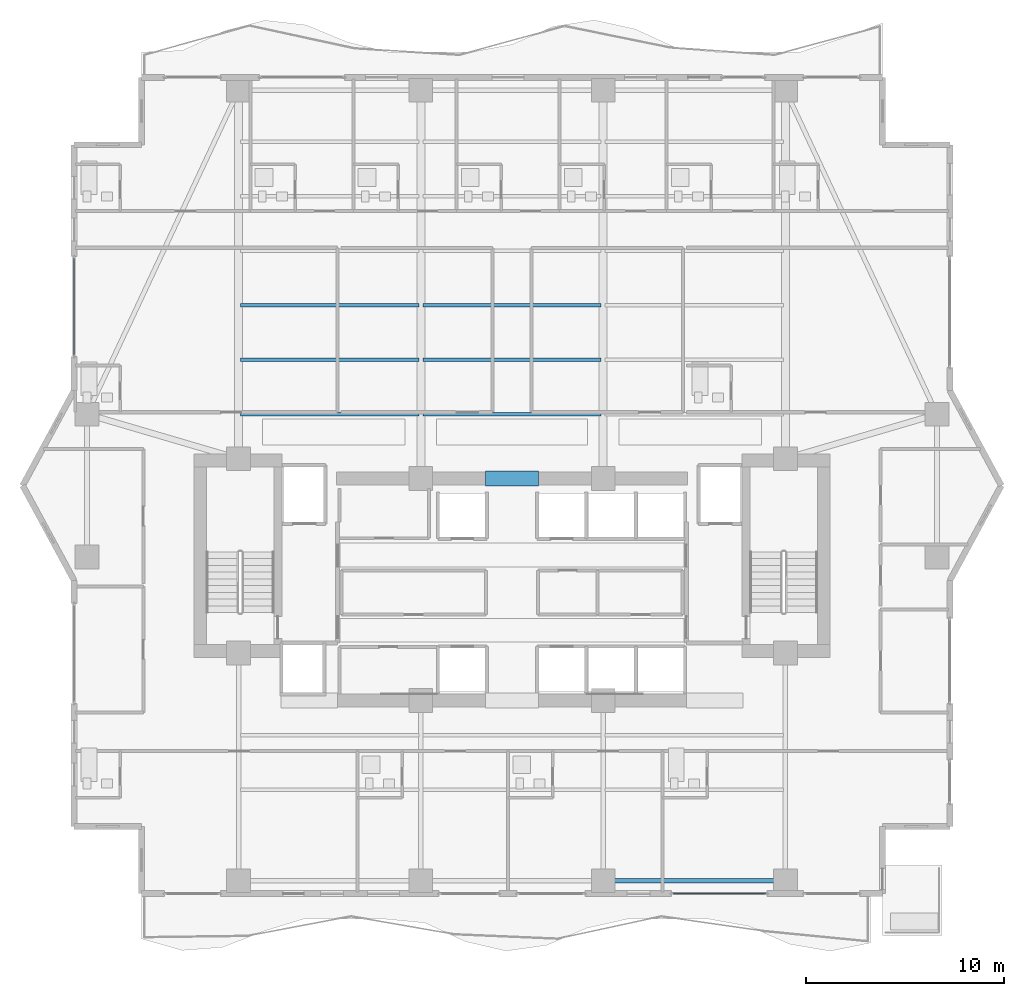
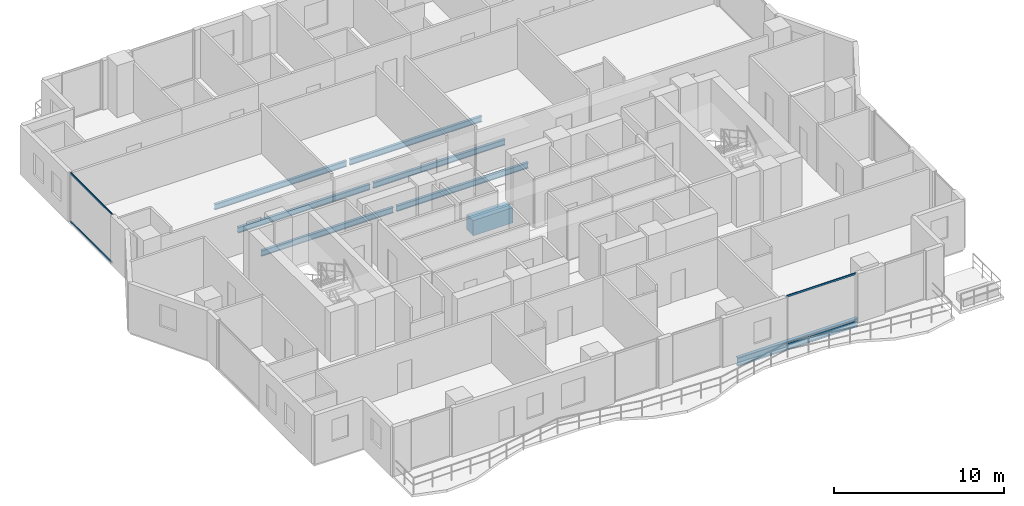
# One storey, part 10 of 33: 8 beams, 4 members, 2 elements without a shape of their own.
"""IFC4 building model written with IfcOpenShell, lengths in metres."""

import ifcopenshell
import ifcopenshell.guid

model = None  # the IFC model being written
_history = None  # IfcOwnerHistory: only IFC2X3 demands one
_inside = {}  # id of a spatial element -> (the spatial element, [elements in it])
_under = {}  # id of a project, library or spatial element -> (it, [spatial elements below it])
_declared = {}  # id of a project -> (the project, [libraries it declares])
_typed = {}  # id of a type object -> (the type object, [elements of that type])
_made_of = {}  # id of a material, layer set ... -> (it, [elements and type objects made of it])


def new_model(schema):
    """Start an empty IFC model of exactly this schema.

    Asked for "IFC4X3", IfcOpenShell would pick the latest addendum, in which some entities
    have other attributes; the version numbers below select the first issue.
    IFC2X3 requires an IfcOwnerHistory on every rooted entity: one is made here for all.
    """
    global model, _history
    if schema == "IFC4X3":
        model = ifcopenshell.file(schema_version=(4, 3, 0, 0))
    else:
        model = ifcopenshell.file(schema=schema)
    _inside.clear()
    _under.clear()
    _declared.clear()
    _typed.clear()
    _made_of.clear()
    _history = None
    if model.schema == "IFC2X3":
        org = make("IfcOrganization", Name="unknown")
        user = make(
            "IfcPersonAndOrganization",
            ThePerson=make("IfcPerson", FamilyName="unknown"),
            TheOrganization=org,
        )
        app = make(
            "IfcApplication",
            ApplicationDeveloper=org,
            Version="unknown",
            ApplicationFullName="unknown",
            ApplicationIdentifier="unknown",
        )
        _history = make(
            "IfcOwnerHistory",
            OwningUser=user,
            OwningApplication=app,
            ChangeAction="ADDED",
            CreationDate=0,
        )
    return model


def make(cls, **values):
    """One entity of the class cls with the attributes given. An attribute that is None is left unset."""
    return model.create_entity(
        cls, **{name: value for name, value in values.items() if value is not None}
    )


def rooted(cls, **values):
    """An entity with a GlobalId (a new one), such as an element, a storey or a relation."""
    return make(cls, GlobalId=ifcopenshell.guid.new(), OwnerHistory=_history, **values)


def si_unit(unit_type, name, prefix=None):
    """IfcSIUnit, for example si_unit("LENGTHUNIT", "METRE", prefix="MILLI")."""
    return make("IfcSIUnit", UnitType=unit_type, Prefix=prefix, Name=name)


def assignment(units):
    """IfcUnitAssignment: the units of a project."""
    return None if units is None else make("IfcUnitAssignment", Units=units)


def point(xyz):
    """IfcCartesianPoint."""
    return None if xyz is None else make("IfcCartesianPoint", Coordinates=xyz)


def direction(xyz):
    """IfcDirection."""
    return None if xyz is None else make("IfcDirection", DirectionRatios=xyz)


def frame(location, z_axis=None, x_axis=None):
    """IfcAxis2Placement3D, a coordinate frame: its origin and axes. An axis left out is left unset."""
    return make(
        "IfcAxis2Placement3D",
        Location=point(location),
        Axis=direction(z_axis),
        RefDirection=direction(x_axis),
    )


def frame_2d(location, x_axis=None):
    """IfcAxis2Placement2D, a coordinate frame in the plane: its origin and x axis."""
    return make(
        "IfcAxis2Placement2D", Location=point(location), RefDirection=direction(x_axis)
    )


def origin():
    """The frame at (0, 0, 0) with its axes left unset."""
    return frame((0.0, 0.0, 0.0))


def origin_2d():
    """The frame at (0, 0) in the plane with its x axis left unset."""
    return frame_2d((0.0, 0.0))


def place(relative_to, where):
    """IfcLocalPlacement: puts the frame where relative to a parent placement (None: the world)."""
    return make(
        "IfcLocalPlacement", PlacementRelTo=relative_to, RelativePlacement=where
    )


def context(
    kind, dimensions, precision=None, world=None, true_north=None, identifier=None
):
    """IfcGeometricRepresentationContext, for example the 3D "Model" context."""
    return make(
        "IfcGeometricRepresentationContext",
        ContextIdentifier=identifier,
        ContextType=kind,
        CoordinateSpaceDimension=dimensions,
        Precision=precision,
        WorldCoordinateSystem=world,
        TrueNorth=true_north,
    )


def subcontext(parent, identifier, kind, view, scale=None):
    """IfcGeometricRepresentationSubContext, for example "Body" below "Model"."""
    return make(
        "IfcGeometricRepresentationSubContext",
        ContextIdentifier=identifier,
        ContextType=kind,
        ParentContext=parent,
        TargetScale=scale,
        TargetView=view,
    )


def project(units=None, contexts=None):
    """IfcProject with its units and contexts."""
    return rooted(
        "IfcProject",
        Name="project",
        RepresentationContexts=contexts,
        UnitsInContext=assignment(units),
    )


def spatial(cls, under=None, at=None, **own):
    """A site, building, storey or space (cls), placed at a placement, below another one or the project."""
    s = rooted(cls, ObjectPlacement=at, **own)
    if under is not None:
        _under.setdefault(under.id(), (under, []))[1].append(s)
    return s


def profile(cls, at=None, kind="AREA", **sizes):
    """A parametric profile (cls). Its sizes go by their IFC names, for example OverallWidth=200.0."""
    return make(cls, ProfileType=kind, Position=at, **sizes)


def rectangle(**sizes):
    """IfcRectangleProfileDef."""
    return profile("IfcRectangleProfileDef", **sizes)


def hollow_rectangle(**sizes):
    """IfcRectangleHollowProfileDef."""
    return profile("IfcRectangleHollowProfileDef", **sizes)


def i_section(**sizes):
    """IfcIShapeProfileDef."""
    return profile("IfcIShapeProfileDef", **sizes)


def extrude(swept, where, along, depth):
    """IfcExtrudedAreaSolid: the profile swept, set in the frame where, extruded along a direction by depth."""
    return make(
        "IfcExtrudedAreaSolid",
        SweptArea=swept,
        Position=where,
        ExtrudedDirection=direction(along),
        Depth=depth,
    )


def shape(context_of_items, identifier, shape_type, items):
    """IfcShapeRepresentation: the items that make up one representation, for example the "Body"."""
    return make(
        "IfcShapeRepresentation",
        ContextOfItems=context_of_items,
        RepresentationIdentifier=identifier,
        RepresentationType=shape_type,
        Items=items,
    )


def material(Name=None, Category=None):
    """IfcMaterial."""
    return make("IfcMaterial", Name=Name, Category=Category)


def layer(
    of_material, thickness, ventilated=None, Name=None, Category=None, Priority=None
):
    """IfcMaterialLayer: one layer of a wall or slab, of a material (None: an air gap)."""
    return make(
        "IfcMaterialLayer",
        Material=of_material,
        LayerThickness=thickness,
        IsVentilated=ventilated,
        Name=Name,
        Category=Category,
        Priority=Priority,
    )


def layer_set(layers, Name=None):
    """IfcMaterialLayerSet."""
    return make("IfcMaterialLayerSet", MaterialLayers=layers, LayerSetName=Name)


def material_profile(
    of_material, cross_section, Name=None, Category=None, Priority=None
):
    """IfcMaterialProfile: a cross section and its material."""
    return make(
        "IfcMaterialProfile",
        Name=Name,
        Material=of_material,
        Profile=cross_section,
        Priority=Priority,
        Category=Category,
    )


def profile_set(profiles, Name=None, composite=None):
    """IfcMaterialProfileSet."""
    return make(
        "IfcMaterialProfileSet",
        Name=Name,
        MaterialProfiles=profiles,
        CompositeProfile=composite,
    )


def made_of(thing, what):
    """Note that an element or type object is made of a material, layer set ...; save() writes the relation."""
    if what is not None:
        _made_of.setdefault(what.id(), (what, []))[1].append(thing)
    return thing


def type_object(cls, material=None, **own):
    """A type object (cls), such as IfcWallType, which elements share."""
    return made_of(rooted(cls, **own), material)


def element(
    cls,
    number,
    at=None,
    inside=None,
    cuts=None,
    type_object=None,
    material=None,
    context=None,
    identifier="Body",
    shape_type=None,
    held_by="IfcProductDefinitionShape",
    body=None,
    shapes=None,
    **own,
):
    """One element of the class cls, such as IfcWall. Its Tag is "e" and its number.

    at: its placement. inside: the storey or other place that contains it. cuts: it is an
    opening in that element (IfcRelVoidsElement). A single representation is given by context,
    identifier, shape_type and body (its items); several are given by shapes. held_by: the class
    of the entity that holds the representations. save() writes the other relations.
    """
    e = rooted(cls, Tag="e%d" % number, ObjectPlacement=at, **own)
    if body is not None:
        shapes = [shape(context, identifier, shape_type, body)]
    if shapes is not None:
        e.Representation = make(held_by, Representations=shapes)
    if inside is not None:
        _inside.setdefault(inside.id(), (inside, []))[1].append(e)
    if cuts is not None:
        rooted(
            "IfcRelVoidsElement", RelatingBuildingElement=cuts, RelatedOpeningElement=e
        )
    if type_object is not None:
        _typed.setdefault(type_object.id(), (type_object, []))[1].append(e)
    return made_of(e, material)


def aggregate(whole, parts):
    """IfcRelAggregates: a whole, such as a stair, and the parts it consists of."""
    return rooted("IfcRelAggregates", RelatingObject=whole, RelatedObjects=parts)


def save(model, path):
    """Write the relations noted so far, then the file.

    IfcRelAggregates (storeys below a building ...), IfcRelContainedInSpatialStructure (elements
    in a storey), IfcRelDefinesByType, IfcRelAssociatesMaterial and IfcRelDeclares: one each for
    every whole, place, type object, material and project.
    """
    for whole, parts in _under.values():
        aggregate(whole, parts)
    for where, things in _inside.values():
        rooted(
            "IfcRelContainedInSpatialStructure",
            RelatedElements=things,
            RelatingStructure=where,
        )
    for kind, things in _typed.values():
        rooted("IfcRelDefinesByType", RelatedObjects=things, RelatingType=kind)
    for what, things in _made_of.values():
        rooted("IfcRelAssociatesMaterial", RelatedObjects=things, RelatingMaterial=what)
    for by, libraries in _declared.values():
        rooted("IfcRelDeclares", RelatingContext=by, RelatedDefinitions=libraries)
    model.write(path)


model = new_model("IFC4")

# Units and contexts
model_context = context("Model", 3, precision=1e-05, world=origin(), true_north=direction((0.0, 1.0)))
body_context = subcontext(model_context, "Body", "Model", "MODEL_VIEW")
ifc_project = project(units=[si_unit("LENGTHUNIT", "METRE"), si_unit("AREAUNIT", "SQUARE_METRE"), si_unit("VOLUMEUNIT", "CUBIC_METRE"), si_unit("PLANEANGLEUNIT", "RADIAN"), si_unit("MASSUNIT", "GRAM", prefix="KILO")], contexts=[model_context])

# Site, building, storey
site_placement = place(None, origin())
site = spatial("IfcSite", under=ifc_project, at=site_placement, CompositionType="ELEMENT")
building_placement = place(site_placement, origin())
building = spatial("IfcBuilding", under=site, at=building_placement, Name="Zuhayl Quay Hotel", CompositionType="ELEMENT")
storey_placement = place(building_placement, frame((0.0, 0.0, 199.89990234375)))
storey = spatial("IfcBuildingStorey", under=building, at=storey_placement, Name="L50", CompositionType="ELEMENT", Elevation=199.89990234375)

# Beams
ifc_material_1 = material(Name="Steel ASTM A992 Grade 50", Category="steel")
ifc_material_profile_1 = material_profile(ifc_material_1, i_section(OverallWidth=0.22802734375, OverallDepth=0.60693359375, WebThickness=0.01123046875, FlangeThickness=0.017333984375, at=origin_2d()), Name="W24X76")
ifc_profile_set_1 = profile_set([ifc_material_profile_1], Name="Steel ASTM A992 Grade 50")
beam_type_1 = type_object("IfcBeamType", Name="BM_B3_W24X76", PredefinedType="BEAM", material=ifc_profile_set_1)
beam_1_placement = place(storey_placement, frame((5.10009765625, -6.949951171875, -0.5234375), z_axis=(1.0, 0.0, 0.0), x_axis=(0.0, 1.0, 0.0)))
element("IfcBeam", 1, at=beam_1_placement, inside=storey, type_object=beam_type_1, Name="L50 Floor Beam RG_L50_03", PredefinedType="BEAM", context=body_context, shape_type="SweptSolid", body=[
    extrude(i_section(OverallWidth=0.22802734375, OverallDepth=0.60693359375, WebThickness=0.01123046875, FlangeThickness=0.017333984375, at=origin_2d()), origin(), (0.0, 0.0, 1.0), 8.199951171875),
])
ifc_material_2 = material(Name="Concrete C60/75", Category="concrete")
ifc_material_profile_2 = material_profile(ifc_material_2, rectangle(XDim=0.75, YDim=1.10009765625, at=origin_2d()), Name="RC750X1100")
ifc_profile_set_2 = profile_set([ifc_material_profile_2], Name="Concrete C60/75")
beam_type_2 = type_object("IfcBeamType", Name="BM_CB2_RC750", PredefinedType="T_BEAM", material=ifc_profile_set_2)
beam_2_placement = place(storey_placement, frame((-1.35009765625, 13.35009765625, -0.77001953125), z_axis=(1.0, 0.0, 0.0), x_axis=(0.0, 1.0, 0.0)))
element("IfcBeam", 2, at=beam_2_placement, inside=storey, type_object=beam_type_2, Name="L50 Core Coupling Beam North", PredefinedType="T_BEAM", context=body_context, shape_type="SweptSolid", body=[
    extrude(rectangle(XDim=0.75, YDim=1.10009765625, at=origin_2d()), origin(), (0.0, 0.0, 1.0), 2.7001953125),
])
ifc_material_profile_3 = material_profile(ifc_material_1, i_section(OverallWidth=0.177978515625, OverallDepth=0.406005859375, WebThickness=0.0078125, FlangeThickness=0.0126953125, at=origin_2d()), Name="W16X40")
ifc_profile_set_3 = profile_set([ifc_material_profile_3], Name="Steel ASTM A992 Grade 50")
beam_type_3 = type_object("IfcBeamType", Name="BM_J2B_W16X40", PredefinedType="JOIST", material=ifc_profile_set_3)
beam_3_placement = place(storey_placement, frame((-13.694091796875, 16.60009765625, -0.4228515625), z_axis=(1.0, 0.0, 0.0), x_axis=(0.0, 1.0, 0.0)))
element("IfcBeam", 3, at=beam_3_placement, inside=storey, type_object=beam_type_3, Name="L50 Floor Beam FJ_L50_1_1", PredefinedType="JOIST", context=body_context, shape_type="SweptSolid", body=[
    extrude(i_section(OverallWidth=0.177978515625, OverallDepth=0.406005859375, WebThickness=0.0078125, FlangeThickness=0.0126953125, at=origin_2d()), origin(), (0.0, 0.0, 1.0), 8.988037109375),
])
beam_4_placement = place(storey_placement, frame((-4.493896484375, 16.60009765625, -0.4228515625), z_axis=(1.0, 0.0, 0.0), x_axis=(0.0, 1.0, 0.0)))
element("IfcBeam", 4, at=beam_4_placement, inside=storey, type_object=beam_type_3, Name="L50 Floor Beam FJ_L50_1_2", PredefinedType="JOIST", context=body_context, shape_type="SweptSolid", body=[
    extrude(i_section(OverallWidth=0.177978515625, OverallDepth=0.406005859375, WebThickness=0.0078125, FlangeThickness=0.0126953125, at=origin_2d()), origin(), (0.0, 0.0, 1.0), 8.98779296875),
])
beam_5_placement = place(storey_placement, frame((-13.694091796875, 19.35009765625, -0.4228515625), z_axis=(1.0, 0.0, 0.0), x_axis=(0.0, 1.0, 0.0)))
element("IfcBeam", 5, at=beam_5_placement, inside=storey, type_object=beam_type_3, Name="L50 Floor Beam FJ_L50_2_1", PredefinedType="JOIST", context=body_context, shape_type="SweptSolid", body=[
    extrude(i_section(OverallWidth=0.177978515625, OverallDepth=0.406005859375, WebThickness=0.0078125, FlangeThickness=0.0126953125, at=origin_2d()), origin(), (0.0, 0.0, 1.0), 8.988037109375),
])
beam_6_placement = place(storey_placement, frame((-4.493896484375, 19.35009765625, -0.4228515625), z_axis=(1.0, 0.0, 0.0), x_axis=(0.0, 1.0, 0.0)))
element("IfcBeam", 6, at=beam_6_placement, inside=storey, type_object=beam_type_3, Name="L50 Floor Beam FJ_L50_2_2", PredefinedType="JOIST", context=body_context, shape_type="SweptSolid", body=[
    extrude(i_section(OverallWidth=0.177978515625, OverallDepth=0.406005859375, WebThickness=0.0078125, FlangeThickness=0.0126953125, at=origin_2d()), origin(), (0.0, 0.0, 1.0), 8.98779296875),
])
beam_7_placement = place(storey_placement, frame((-13.694091796875, 22.10009765625, -0.4228515625), z_axis=(1.0, 0.0, 0.0), x_axis=(0.0, 1.0, 0.0)))
element("IfcBeam", 7, at=beam_7_placement, inside=storey, type_object=beam_type_3, Name="L50 Floor Beam FJ_L50_3_1", PredefinedType="JOIST", context=body_context, shape_type="SweptSolid", body=[
    extrude(i_section(OverallWidth=0.177978515625, OverallDepth=0.406005859375, WebThickness=0.0078125, FlangeThickness=0.0126953125, at=origin_2d()), origin(), (0.0, 0.0, 1.0), 8.988037109375),
])
beam_8_placement = place(storey_placement, frame((-4.493896484375, 22.10009765625, -0.4228515625), z_axis=(1.0, 0.0, 0.0), x_axis=(0.0, 1.0, 0.0)))
element("IfcBeam", 8, at=beam_8_placement, inside=storey, type_object=beam_type_3, Name="L50 Floor Beam FJ_L50_3_2", PredefinedType="JOIST", context=body_context, shape_type="SweptSolid", body=[
    extrude(i_section(OverallWidth=0.177978515625, OverallDepth=0.406005859375, WebThickness=0.0078125, FlangeThickness=0.0126953125, at=origin_2d()), origin(), (0.0, 0.0, 1.0), 8.98779296875),
])

# Curtain wall, members
ifc_material_3 = material(Name="Anodised Aluminium 6063-T6", Category="aluminium")
ifc_layer = layer(ifc_material_3, 0.175048828125, Name="Anodised Aluminium 6063-T6", Category="aluminium")
ifc_layer_set = layer_set([ifc_layer], Name="Anodised Aluminium 6063-T6")
curtain_wall_type = type_object("IfcCurtainWallType", Name="CW_SYS_Z3", PredefinedType="USERDEFINED", material=ifc_layer_set)
curtain_wall_1_placement = place(storey_placement, origin())
curtain_wall_1 = element("IfcCurtainWall", 9, at=curtain_wall_1_placement, inside=storey, type_object=curtain_wall_type, Name="L50 Curtain Wall ENV_L50_E05_CW1", ObjectType="UNITISED CURTAIN WALL", PredefinedType="USERDEFINED")
ifc_material_4 = material(Name="Black-anodised aluminium 6063-T6", Category="aluminium")
ifc_material_profile_4 = material_profile(ifc_material_4, hollow_rectangle(XDim=0.054931640625, YDim=0.1298828125, WallThickness=0.0029296875, at=origin_2d()), Name="ALU130X55")
ifc_profile_set_4 = profile_set([ifc_material_profile_4], Name="Black-anodised aluminium 6063-T6")
member_type = type_object("IfcMemberType", Name="MB_CW_TRN_130", PredefinedType="USERDEFINED", material=ifc_profile_set_4)
member_1_placement = place(storey_placement, frame((-22.10009765625, 19.574951171875, 0.027587890625), z_axis=(0.0, 1.0, 0.0), x_axis=(-1.0, 0.0, 0.0)))
member_1 = element("IfcMember", 10, at=member_1_placement, type_object=member_type, Name="CW-Z3 transom 1.1", ObjectType="TRANSOM", PredefinedType="USERDEFINED", context=body_context, shape_type="SweptSolid", body=[
    extrude(hollow_rectangle(XDim=0.054931640625, YDim=0.1298828125, WallThickness=0.0029296875, at=origin_2d()), origin(), (0.0, 0.0, 1.0), 4.91015625),
])
member_2_placement = place(storey_placement, frame((-22.10009765625, 19.574951171875, 3.502685546875), z_axis=(0.0, 1.0, 0.0), x_axis=(-1.0, 0.0, 0.0)))
member_2 = element("IfcMember", 11, at=member_2_placement, type_object=member_type, Name="CW-Z3 transom 1.2", ObjectType="TRANSOM", PredefinedType="USERDEFINED", context=body_context, shape_type="SweptSolid", body=[
    extrude(hollow_rectangle(XDim=0.054931640625, YDim=0.1298828125, WallThickness=0.0029296875, at=origin_2d()), origin(), (0.0, 0.0, 1.0), 4.91015625),
])
aggregate(curtain_wall_1, [member_1, member_2])

curtain_wall_2_placement = place(storey_placement, origin())
curtain_wall_2 = element("IfcCurtainWall", 12, at=curtain_wall_2_placement, inside=storey, type_object=curtain_wall_type, Name="L50 Curtain Wall ENV_L50_S_CW2", ObjectType="UNITISED CURTAIN WALL", PredefinedType="USERDEFINED")
member_3_placement = place(storey_placement, frame((12.81494140625, -7.60009765625, 0.027587890625), z_axis=(-1.0, 0.0, 0.0), x_axis=(0.0, -1.0, 0.0)))
member_3 = element("IfcMember", 13, at=member_3_placement, type_object=member_type, Name="CW-Z3 transom 1.1", ObjectType="TRANSOM", PredefinedType="USERDEFINED", context=body_context, shape_type="SweptSolid", body=[
    extrude(hollow_rectangle(XDim=0.054931640625, YDim=0.1298828125, WallThickness=0.0029296875, at=origin_2d()), origin(), (0.0, 0.0, 1.0), 4.699951171875),
])
member_4_placement = place(storey_placement, frame((12.81494140625, -7.60009765625, 3.502685546875), z_axis=(-1.0, 0.0, 0.0), x_axis=(0.0, -1.0, 0.0)))
member_4 = element("IfcMember", 14, at=member_4_placement, type_object=member_type, Name="CW-Z3 transom 1.2", ObjectType="TRANSOM", PredefinedType="USERDEFINED", context=body_context, shape_type="SweptSolid", body=[
    extrude(hollow_rectangle(XDim=0.054931640625, YDim=0.1298828125, WallThickness=0.0029296875, at=origin_2d()), origin(), (0.0, 0.0, 1.0), 4.699951171875),
])
aggregate(curtain_wall_2, [member_3, member_4])

save(model, "model.ifc")
